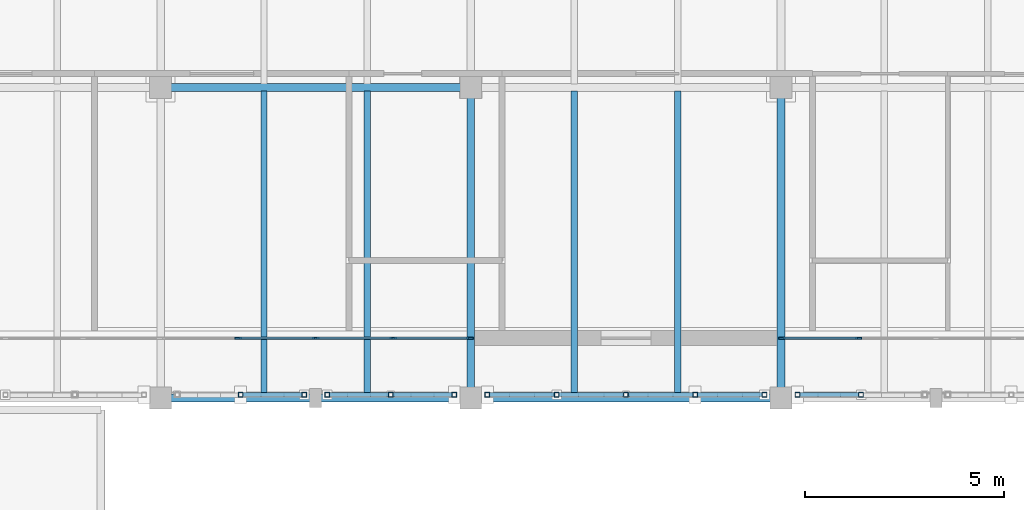
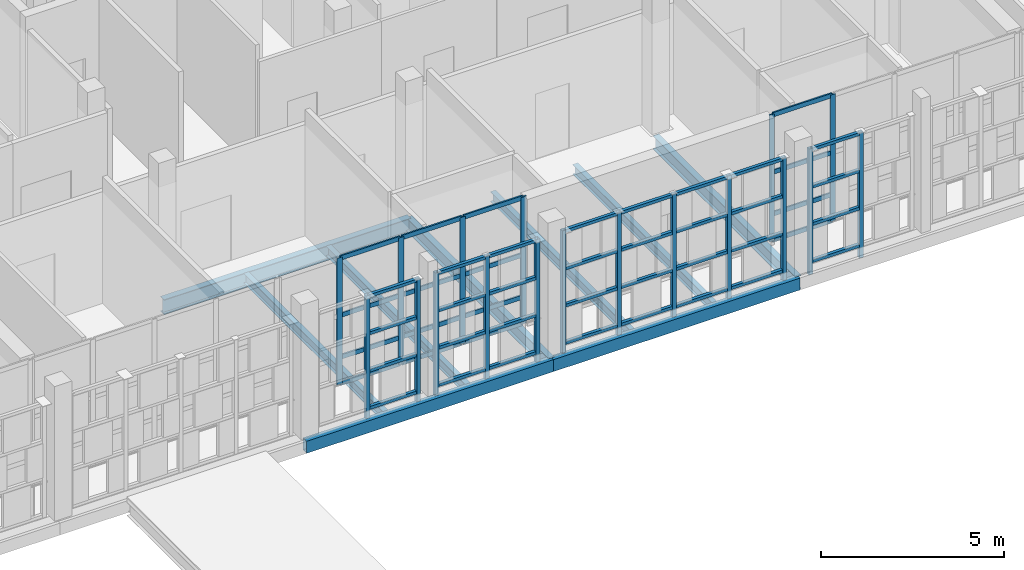
# One storey, part 54 of 119: 66 members, 9 beams, 2 elements without a shape of their own.
"""IFC4 building model written with IfcOpenShell, lengths in metres."""

from ifc_helpers import new_model, si_unit, direction, frame, origin, origin_2d, place, context, subcontext, project, spatial, rectangle, hollow_rectangle, i_section, extrude, material, layer, layer_set, material_profile, profile_set, type_object, element, aggregate, save


model = new_model("IFC4")

# Units and contexts
model_context = context("Model", 3, precision=1e-05, world=origin(), true_north=direction((0.0, 1.0)))
body_context = subcontext(model_context, "Body", "Model", "MODEL_VIEW")
ifc_project = project(units=[si_unit("LENGTHUNIT", "METRE"), si_unit("AREAUNIT", "SQUARE_METRE"), si_unit("VOLUMEUNIT", "CUBIC_METRE"), si_unit("PLANEANGLEUNIT", "RADIAN"), si_unit("MASSUNIT", "GRAM", prefix="KILO")], contexts=[model_context])

# Site, building, storey
site_placement = place(None, origin())
site = spatial("IfcSite", under=ifc_project, at=site_placement, CompositionType="ELEMENT")
building_placement = place(site_placement, origin())
building = spatial("IfcBuilding", under=site, at=building_placement, Name="Celorna Specialist Clinic", CompositionType="ELEMENT")
storey_placement = place(building_placement, frame((0.0, 0.0, 9.60009765625)))
storey = spatial("IfcBuildingStorey", under=building, at=storey_placement, Name="L02", CompositionType="ELEMENT", Elevation=9.60009765625)

# Beams
ifc_material_1 = material(Name="Steel S355", Category="steel")
ifc_material_profile_1 = material_profile(ifc_material_1, i_section(OverallWidth=0.199951171875, OverallDepth=0.5, WebThickness=0.01025390625, FlangeThickness=0.01611328125, at=origin_2d()), Name="IPE 500")
ifc_profile_set_1 = profile_set([ifc_material_profile_1], Name="Steel S355")
beam_type_1 = type_object("IfcBeamType", Name="BM-08", PredefinedType="BEAM", material=ifc_profile_set_1)
beam_placement = place(storey_placement, frame((78.0, 104.300048828125, -0.510009765625), z_axis=(1.0, 0.0, 0.0), x_axis=(0.0, 1.0, 0.0)))
element("IfcBeam", 1, at=beam_placement, inside=storey, type_object=beam_type_1, Name="Primary girder BM-08 #1081", PredefinedType="BEAM", context=body_context, shape_type="SweptSolid", body=[
    extrude(i_section(OverallWidth=0.199951171875, OverallDepth=0.5, WebThickness=0.01025390625, FlangeThickness=0.01611328125, at=origin_2d()), origin(), (0.0, 0.0, 1.0), 7.800048828125),
])
ifc_material_profile_2 = material_profile(ifc_material_1, i_section(OverallWidth=0.18994140625, OverallDepth=0.449951171875, WebThickness=0.009521484375, FlangeThickness=0.0146484375, at=origin_2d()), Name="IPE 450")
ifc_profile_set_2 = profile_set([ifc_material_profile_2], Name="Steel S355")
beam_type_2 = type_object("IfcBeamType", Name="BM-09", PredefinedType="BEAM", material=ifc_profile_set_2)
for number, where, z_axis, x_axis, name in (
    (2, (85.800048828125, 96.5, -0.485107421875), (0.0, 1.0, 0.0), (-1.0, 0.0, 0.0), "Transverse girder BM-09 #1125"),
    (3, (93.60009765625, 96.5, -0.485107421875), (0.0, 1.0, 0.0), (-1.0, 0.0, 0.0), "Transverse girder BM-09 #1128"),
):
    element("IfcBeam", number, at=place(storey_placement, frame(where, z_axis=z_axis, x_axis=x_axis)), inside=storey, type_object=beam_type_2, Name=name, PredefinedType="BEAM", context=body_context, shape_type="SweptSolid", body=[
        extrude(i_section(OverallWidth=0.18994140625, OverallDepth=0.449951171875, WebThickness=0.009521484375, FlangeThickness=0.0146484375, at=origin_2d()), origin(), (0.0, 0.0, 1.0), 7.800048828125),
    ])
ifc_material_profile_3 = material_profile(ifc_material_1, i_section(OverallWidth=0.159912109375, OverallDepth=0.330078125, WebThickness=0.007568359375, FlangeThickness=0.011474609375, at=origin_2d()), Name="IPE 330")
ifc_profile_set_3 = profile_set([ifc_material_profile_3], Name="Steel S355")
beam_type_3 = type_object("IfcBeamType", Name="BM-12", PredefinedType="JOIST", material=ifc_profile_set_3)
for number, where, z_axis, x_axis, name in (
    (4, (80.60009765625, 96.587890625, -0.425048828125), (0.0, 1.0, 0.0), (-1.0, 0.0, 0.0), "Secondary floor joist BM-12 #1167"),
    (5, (83.199951171875, 96.587890625, -0.425048828125), (0.0, 1.0, 0.0), (-1.0, 0.0, 0.0), "Secondary floor joist BM-12 #1168"),
    (6, (88.39990234375, 96.587890625, -0.425048828125), (0.0, 1.0, 0.0), (-1.0, 0.0, 0.0), "Secondary floor joist BM-12 #1171"),
    (7, (91.0, 96.587890625, -0.425048828125), (0.0, 1.0, 0.0), (-1.0, 0.0, 0.0), "Secondary floor joist BM-12 #1172"),
):
    element("IfcBeam", number, at=place(storey_placement, frame(where, z_axis=z_axis, x_axis=x_axis)), inside=storey, type_object=beam_type_3, Name=name, PredefinedType="JOIST", context=body_context, shape_type="SweptSolid", body=[
        extrude(i_section(OverallWidth=0.159912109375, OverallDepth=0.330078125, WebThickness=0.007568359375, FlangeThickness=0.011474609375, at=origin_2d()), origin(), (0.0, 0.0, 1.0), 7.6240234375),
    ])
ifc_material_profile_4 = material_profile(ifc_material_1, hollow_rectangle(XDim=0.199951171875, YDim=0.39990234375, WallThickness=0.011962890625, at=origin_2d()), Name="RHS 200x400x12")
ifc_profile_set_4 = profile_set([ifc_material_profile_4], Name="Steel S355")
beam_type_4 = type_object("IfcBeamType", Name="BM-15", PredefinedType="SPANDREL", material=ifc_profile_set_4)
for number, where, z_axis, x_axis, name in (
    (8, (78.0, 96.5, -0.460205078125), (1.0, 0.0, 0.0), (0.0, 1.0, 0.0), "Spandrel beam BM-15 #1070"),
    (9, (85.800048828125, 96.5, -0.460205078125), (1.0, 0.0, 0.0), (0.0, 1.0, 0.0), "Spandrel beam BM-15 #1071"),
):
    element("IfcBeam", number, at=place(storey_placement, frame(where, z_axis=z_axis, x_axis=x_axis)), inside=storey, type_object=beam_type_4, Name=name, PredefinedType="SPANDREL", context=body_context, shape_type="SweptSolid", body=[
        extrude(hollow_rectangle(XDim=0.199951171875, YDim=0.39990234375, WallThickness=0.011962890625, at=origin_2d()), origin(), (0.0, 0.0, 1.0), 7.800048828125),
    ])

# Members
ifc_material_profile_5 = material_profile(ifc_material_1, hollow_rectangle(XDim=0.1201171875, YDim=0.1201171875, WallThickness=0.008056640625, at=origin_2d()), Name="SHS 120x120x8")
ifc_profile_set_5 = profile_set([ifc_material_profile_5], Name="Steel S355")
member_type_1 = type_object("IfcMemberType", Name="MB-11", PredefinedType="STUD", material=ifc_profile_set_5)
for number, where, z_axis, x_axis, name in (
    (10, (80.012451171875, 96.580078125, -0.360107421875), (0.0, 0.0, 1.0), (1.0, 0.0, 0.0), "Perforated screen steel post #1081"),
    (11, (81.610107421875, 96.580078125, -0.360107421875), (0.0, 0.0, 1.0), (1.0, 0.0, 0.0), "Perforated screen steel post #1082"),
    (12, (82.18994140625, 96.580078125, -0.360107421875), (0.0, 0.0, 1.0), (1.0, 0.0, 0.0), "Perforated screen steel post #1091"),
    (13, (83.78759765625, 96.580078125, -0.360107421875), (0.0, 0.0, 1.0), (1.0, 0.0, 0.0), "Perforated screen steel post #1092"),
    (14, (85.385009765625, 96.580078125, -0.360107421875), (0.0, 0.0, 1.0), (1.0, 0.0, 0.0), "Perforated screen steel post #1093"),
    (15, (86.215087890625, 96.580078125, -0.360107421875), (0.0, 0.0, 1.0), (1.0, 0.0, 0.0), "Perforated screen steel post #1102"),
    (16, (87.95751953125, 96.580078125, -0.360107421875), (0.0, 0.0, 1.0), (1.0, 0.0, 0.0), "Perforated screen steel post #1103"),
    (17, (89.699951171875, 96.580078125, -0.360107421875), (0.0, 0.0, 1.0), (1.0, 0.0, 0.0), "Perforated screen steel post #1104"),
    (18, (91.4423828125, 96.580078125, -0.360107421875), (0.0, 0.0, 1.0), (1.0, 0.0, 0.0), "Perforated screen steel post #1105"),
    (19, (93.18505859375, 96.580078125, -0.360107421875), (0.0, 0.0, 1.0), (1.0, 0.0, 0.0), "Perforated screen steel post #1106"),
    (20, (94.014892578125, 96.580078125, -0.360107421875), (0.0, 0.0, 1.0), (1.0, 0.0, 0.0), "Perforated screen steel post #1123"),
    (21, (95.612548828125, 96.580078125, -0.360107421875), (0.0, 0.0, 1.0), (1.0, 0.0, 0.0), "Perforated screen steel post #1124"),
):
    element("IfcMember", number, at=place(storey_placement, frame(where, z_axis=z_axis, x_axis=x_axis)), inside=storey, type_object=member_type_1, Name=name, PredefinedType="STUD", context=body_context, shape_type="SweptSolid", body=[
        extrude(hollow_rectangle(XDim=0.1201171875, YDim=0.1201171875, WallThickness=0.008056640625, at=origin_2d()), origin(), (0.0, 0.0, 1.0), 4.199951171875),
    ])
ifc_material_profile_6 = material_profile(ifc_material_1, hollow_rectangle(XDim=0.10009765625, YDim=0.10009765625, WallThickness=0.006103515625, at=origin_2d()), Name="SHS 100x100x6")
ifc_profile_set_6 = profile_set([ifc_material_profile_6], Name="Steel S355")
member_type_2 = type_object("IfcMemberType", Name="MB-12", PredefinedType="STUD", material=ifc_profile_set_6)
for number, where, z_axis, x_axis, name in (
    (22, (80.072509765625, 96.580078125, 0.0498046875), (1.0, 0.0, 0.0), (0.0, 1.0, 0.0), "Perforated screen rail #1087"),
    (23, (80.072509765625, 96.580078125, 1.296630859375), (1.0, 0.0, 0.0), (0.0, 1.0, 0.0), "Perforated screen rail #1088"),
    (24, (80.072509765625, 96.580078125, 2.543212890625), (1.0, 0.0, 0.0), (0.0, 1.0, 0.0), "Perforated screen rail #1089"),
    (25, (80.072509765625, 96.580078125, 3.789794921875), (1.0, 0.0, 0.0), (0.0, 1.0, 0.0), "Perforated screen rail #1090"),
    (26, (82.25, 96.580078125, 0.0498046875), (1.0, 0.0, 0.0), (0.0, 1.0, 0.0), "Perforated screen rail #1094"),
    (27, (82.25, 96.580078125, 1.296630859375), (1.0, 0.0, 0.0), (0.0, 1.0, 0.0), "Perforated screen rail #1095"),
    (28, (82.25, 96.580078125, 2.543212890625), (1.0, 0.0, 0.0), (0.0, 1.0, 0.0), "Perforated screen rail #1096"),
    (29, (82.25, 96.580078125, 3.789794921875), (1.0, 0.0, 0.0), (0.0, 1.0, 0.0), "Perforated screen rail #1097"),
    (30, (83.847412109375, 96.580078125, 0.0498046875), (1.0, 0.0, 0.0), (0.0, 1.0, 0.0), "Perforated screen rail #1098"),
    (31, (83.847412109375, 96.580078125, 1.296630859375), (1.0, 0.0, 0.0), (0.0, 1.0, 0.0), "Perforated screen rail #1099"),
    (32, (83.847412109375, 96.580078125, 2.543212890625), (1.0, 0.0, 0.0), (0.0, 1.0, 0.0), "Perforated screen rail #1100"),
    (33, (83.847412109375, 96.580078125, 3.789794921875), (1.0, 0.0, 0.0), (0.0, 1.0, 0.0), "Perforated screen rail #1101"),
):
    element("IfcMember", number, at=place(storey_placement, frame(where, z_axis=z_axis, x_axis=x_axis)), inside=storey, type_object=member_type_2, Name=name, PredefinedType="STUD", context=body_context, shape_type="SweptSolid", body=[
        extrude(hollow_rectangle(XDim=0.10009765625, YDim=0.10009765625, WallThickness=0.006103515625, at=origin_2d()), origin(), (0.0, 0.0, 1.0), 1.4775390625),
    ])
for number, where, z_axis, x_axis, name in (
    (34, (86.27490234375, 96.580078125, 0.0498046875), (1.0, 0.0, 0.0), (0.0, 1.0, 0.0), "Perforated screen rail #1107"),
    (35, (86.27490234375, 96.580078125, 1.296630859375), (1.0, 0.0, 0.0), (0.0, 1.0, 0.0), "Perforated screen rail #1108"),
    (36, (86.27490234375, 96.580078125, 2.543212890625), (1.0, 0.0, 0.0), (0.0, 1.0, 0.0), "Perforated screen rail #1109"),
    (37, (86.27490234375, 96.580078125, 3.789794921875), (1.0, 0.0, 0.0), (0.0, 1.0, 0.0), "Perforated screen rail #1110"),
):
    element("IfcMember", number, at=place(storey_placement, frame(where, z_axis=z_axis, x_axis=x_axis)), inside=storey, type_object=member_type_2, Name=name, PredefinedType="STUD", context=body_context, shape_type="SweptSolid", body=[
        extrude(hollow_rectangle(XDim=0.10009765625, YDim=0.10009765625, WallThickness=0.006103515625, at=origin_2d()), origin(), (0.0, 0.0, 1.0), 1.62255859375),
    ])
for number, where, z_axis, x_axis, name in (
    (38, (88.017578125, 96.580078125, 0.0498046875), (1.0, 0.0, 0.0), (0.0, 1.0, 0.0), "Perforated screen rail #1111"),
    (39, (88.017578125, 96.580078125, 1.296630859375), (1.0, 0.0, 0.0), (0.0, 1.0, 0.0), "Perforated screen rail #1112"),
    (40, (88.017578125, 96.580078125, 2.543212890625), (1.0, 0.0, 0.0), (0.0, 1.0, 0.0), "Perforated screen rail #1113"),
    (41, (88.017578125, 96.580078125, 3.789794921875), (1.0, 0.0, 0.0), (0.0, 1.0, 0.0), "Perforated screen rail #1114"),
):
    element("IfcMember", number, at=place(storey_placement, frame(where, z_axis=z_axis, x_axis=x_axis)), inside=storey, type_object=member_type_2, Name=name, PredefinedType="STUD", context=body_context, shape_type="SweptSolid", body=[
        extrude(hollow_rectangle(XDim=0.10009765625, YDim=0.10009765625, WallThickness=0.006103515625, at=origin_2d()), origin(), (0.0, 0.0, 1.0), 1.622314453125),
    ])
for number, where, z_axis, x_axis, name in (
    (42, (89.760009765625, 96.580078125, 0.0498046875), (1.0, 0.0, 0.0), (0.0, 1.0, 0.0), "Perforated screen rail #1115"),
    (43, (89.760009765625, 96.580078125, 1.296630859375), (1.0, 0.0, 0.0), (0.0, 1.0, 0.0), "Perforated screen rail #1116"),
    (44, (89.760009765625, 96.580078125, 2.543212890625), (1.0, 0.0, 0.0), (0.0, 1.0, 0.0), "Perforated screen rail #1117"),
    (45, (89.760009765625, 96.580078125, 3.789794921875), (1.0, 0.0, 0.0), (0.0, 1.0, 0.0), "Perforated screen rail #1118"),
    (46, (91.50244140625, 96.580078125, 0.0498046875), (1.0, 0.0, 0.0), (0.0, 1.0, 0.0), "Perforated screen rail #1119"),
    (47, (91.50244140625, 96.580078125, 1.296630859375), (1.0, 0.0, 0.0), (0.0, 1.0, 0.0), "Perforated screen rail #1120"),
    (48, (91.50244140625, 96.580078125, 2.543212890625), (1.0, 0.0, 0.0), (0.0, 1.0, 0.0), "Perforated screen rail #1121"),
    (49, (91.50244140625, 96.580078125, 3.789794921875), (1.0, 0.0, 0.0), (0.0, 1.0, 0.0), "Perforated screen rail #1122"),
):
    element("IfcMember", number, at=place(storey_placement, frame(where, z_axis=z_axis, x_axis=x_axis)), inside=storey, type_object=member_type_2, Name=name, PredefinedType="STUD", context=body_context, shape_type="SweptSolid", body=[
        extrude(hollow_rectangle(XDim=0.10009765625, YDim=0.10009765625, WallThickness=0.006103515625, at=origin_2d()), origin(), (0.0, 0.0, 1.0), 1.62255859375),
    ])
for number, where, z_axis, x_axis, name in (
    (50, (94.074951171875, 96.580078125, 0.0498046875), (1.0, 0.0, 0.0), (0.0, 1.0, 0.0), "Perforated screen rail #1126"),
    (51, (94.074951171875, 96.580078125, 1.296630859375), (1.0, 0.0, 0.0), (0.0, 1.0, 0.0), "Perforated screen rail #1127"),
    (52, (94.074951171875, 96.580078125, 2.543212890625), (1.0, 0.0, 0.0), (0.0, 1.0, 0.0), "Perforated screen rail #1128"),
    (53, (94.074951171875, 96.580078125, 3.789794921875), (1.0, 0.0, 0.0), (0.0, 1.0, 0.0), "Perforated screen rail #1129"),
):
    element("IfcMember", number, at=place(storey_placement, frame(where, z_axis=z_axis, x_axis=x_axis)), inside=storey, type_object=member_type_2, Name=name, PredefinedType="STUD", context=body_context, shape_type="SweptSolid", body=[
        extrude(hollow_rectangle(XDim=0.10009765625, YDim=0.10009765625, WallThickness=0.006103515625, at=origin_2d()), origin(), (0.0, 0.0, 1.0), 1.4775390625),
    ])

# Curtain wall, members
ifc_material_2 = material(Name="Thermally broken aluminium and solar-control glass curtain wall", Category="aluminium")
ifc_layer_1 = layer(ifc_material_2, 0.159912109375, Name="Thermally broken aluminium and solar-control glass curtain wall")
ifc_layer_set_1 = layer_set([ifc_layer_1], Name="Thermally broken aluminium and solar-control glass curtain wall")
curtain_wall_type_1 = type_object("IfcCurtainWallType", Name="CW-68", PredefinedType="NOTDEFINED", material=ifc_layer_set_1)
curtain_wall_1_placement = place(storey_placement, origin())
curtain_wall_1 = element("IfcCurtainWall", 54, at=curtain_wall_1_placement, inside=storey, type_object=curtain_wall_type_1, Name="Curtain wall CW-68 #125", PredefinedType="NOTDEFINED")
ifc_material_3 = material(Name="Anodized aluminium mullion", Category="aluminium")
ifc_material_profile_7 = material_profile(ifc_material_3, rectangle(XDim=0.050048828125, YDim=0.159912109375, at=origin_2d()), Name="ALU MULLION 50x160")
ifc_profile_set_7 = profile_set([ifc_material_profile_7], Name="Anodized aluminium mullion")
member_type_3 = type_object("IfcMemberType", Name="ML-01", PredefinedType="MULLION", material=ifc_profile_set_7)
member_1_placement = place(storey_placement, frame((95.552001953125, 98.0, 0.0), z_axis=(0.0, 0.0, 1.0), x_axis=(0.0, -1.0, 0.0)))
member_1 = element("IfcMember", 55, at=member_1_placement, type_object=member_type_3, Name="CW-68 mullion 4", PredefinedType="MULLION", context=body_context, shape_type="SweptSolid", body=[
    extrude(rectangle(XDim=0.050048828125, YDim=0.159912109375, at=origin_2d()), origin(), (0.0, 0.0, 1.0), 4.239990234375),
])
member_2_placement = place(storey_placement, frame((93.62890625, 98.0, 0.0), z_axis=(0.0, 0.0, 1.0), x_axis=(0.0, -1.0, 0.0)))
member_2 = element("IfcMember", 56, at=member_2_placement, type_object=member_type_3, Name="CW-68 mullion 5", PredefinedType="MULLION", context=body_context, shape_type="SweptSolid", body=[
    extrude(rectangle(XDim=0.050048828125, YDim=0.159912109375, at=origin_2d()), origin(), (0.0, 0.0, 1.0), 4.239990234375),
])

ifc_layer_2 = layer(ifc_material_2, 0.159912109375, Name="Thermally broken aluminium and solar-control glass curtain wall")
ifc_layer_set_2 = layer_set([ifc_layer_2], Name="Thermally broken aluminium and solar-control glass curtain wall")
curtain_wall_type_2 = type_object("IfcCurtainWallType", Name="CW-67", PredefinedType="NOTDEFINED", material=ifc_layer_set_2)
curtain_wall_2_placement = place(storey_placement, origin())
curtain_wall_2 = element("IfcCurtainWall", 57, at=curtain_wall_2_placement, inside=storey, type_object=curtain_wall_type_2, Name="Curtain wall CW-67 #124", PredefinedType="NOTDEFINED")
ifc_material_profile_8 = material_profile(ifc_material_3, rectangle(XDim=0.050048828125, YDim=0.179931640625, at=origin_2d()), Name="ALU MULLION 50x180")
ifc_profile_set_8 = profile_set([ifc_material_profile_8], Name="Anodized aluminium mullion")
member_type_4 = type_object("IfcMemberType", Name="ML-02", PredefinedType="MULLION", material=ifc_profile_set_8)
member_3_placement = place(storey_placement, frame((85.77099609375, 98.0, 0.0), z_axis=(0.0, 0.0, 1.0), x_axis=(0.0, -1.0, 0.0)))
member_3 = element("IfcMember", 58, at=member_3_placement, type_object=member_type_4, Name="CW-67 mullion 1", PredefinedType="MULLION", context=body_context, shape_type="SweptSolid", body=[
    extrude(rectangle(XDim=0.050048828125, YDim=0.179931640625, at=origin_2d()), origin(), (0.0, 0.0, 1.0), 4.239990234375),
])
member_4_placement = place(storey_placement, frame((83.847900390625, 98.0, 0.0), z_axis=(0.0, 0.0, 1.0), x_axis=(0.0, -1.0, 0.0)))
member_4 = element("IfcMember", 59, at=member_4_placement, type_object=member_type_4, Name="CW-67 mullion 2", PredefinedType="MULLION", context=body_context, shape_type="SweptSolid", body=[
    extrude(rectangle(XDim=0.050048828125, YDim=0.179931640625, at=origin_2d()), origin(), (0.0, 0.0, 1.0), 4.239990234375),
])
member_5_placement = place(storey_placement, frame((81.89990234375, 98.0, 0.0), z_axis=(0.0, 0.0, 1.0), x_axis=(0.0, -1.0, 0.0)))
member_5 = element("IfcMember", 60, at=member_5_placement, type_object=member_type_4, Name="CW-67 mullion 3", PredefinedType="MULLION", context=body_context, shape_type="SweptSolid", body=[
    extrude(rectangle(XDim=0.050048828125, YDim=0.179931640625, at=origin_2d()), origin(), (0.0, 0.0, 1.0), 4.239990234375),
])
member_6_placement = place(storey_placement, frame((79.951904296875, 98.0, 0.0), z_axis=(0.0, 0.0, 1.0), x_axis=(0.0, -1.0, 0.0)))
member_6 = element("IfcMember", 61, at=member_6_placement, type_object=member_type_4, Name="CW-67 mullion 4", PredefinedType="MULLION", context=body_context, shape_type="SweptSolid", body=[
    extrude(rectangle(XDim=0.050048828125, YDim=0.179931640625, at=origin_2d()), origin(), (0.0, 0.0, 1.0), 4.239990234375),
])
ifc_material_4 = material(Name="Anodized aluminium transom", Category="aluminium")
ifc_material_profile_9 = material_profile(ifc_material_4, rectangle(XDim=0.050048828125, YDim=0.14990234375, at=origin_2d()), Name="ALU TRANSOM 50x150")
ifc_profile_set_9 = profile_set([ifc_material_profile_9], Name="Anodized aluminium transom")
member_type_5 = type_object("IfcMemberType", Name="TR-02", PredefinedType="USERDEFINED", material=ifc_profile_set_9)
member_7_placement = place(storey_placement, frame((85.74609375, 98.0, 0.02490234375), z_axis=(-1.0, 0.0, 0.0), x_axis=(0.0, -1.0, 0.0)))
member_7 = element("IfcMember", 62, at=member_7_placement, type_object=member_type_5, Name="CW-67 transom 1.1", ObjectType="TRANSOM", PredefinedType="USERDEFINED", context=body_context, shape_type="SweptSolid", body=[
    extrude(rectangle(XDim=0.050048828125, YDim=0.14990234375, at=origin_2d()), origin(), (0.0, 0.0, 1.0), 1.873046875),
])
member_8_placement = place(storey_placement, frame((85.74609375, 98.0, 0.89990234375), z_axis=(-1.0, 0.0, 0.0), x_axis=(0.0, -1.0, 0.0)))
member_8 = element("IfcMember", 63, at=member_8_placement, type_object=member_type_5, Name="CW-67 transom 1.2", ObjectType="TRANSOM", PredefinedType="USERDEFINED", context=body_context, shape_type="SweptSolid", body=[
    extrude(rectangle(XDim=0.050048828125, YDim=0.14990234375, at=origin_2d()), origin(), (0.0, 0.0, 1.0), 1.873046875),
])
member_9_placement = place(storey_placement, frame((85.74609375, 98.0, 2.2998046875), z_axis=(-1.0, 0.0, 0.0), x_axis=(0.0, -1.0, 0.0)))
member_9 = element("IfcMember", 64, at=member_9_placement, type_object=member_type_5, Name="CW-67 transom 1.3", ObjectType="TRANSOM", PredefinedType="USERDEFINED", context=body_context, shape_type="SweptSolid", body=[
    extrude(rectangle(XDim=0.050048828125, YDim=0.14990234375, at=origin_2d()), origin(), (0.0, 0.0, 1.0), 1.873046875),
])
member_10_placement = place(storey_placement, frame((85.74609375, 98.0, 4.21484375), z_axis=(-1.0, 0.0, 0.0), x_axis=(0.0, -1.0, 0.0)))
member_10 = element("IfcMember", 65, at=member_10_placement, type_object=member_type_5, Name="CW-67 transom 1.4", ObjectType="TRANSOM", PredefinedType="USERDEFINED", context=body_context, shape_type="SweptSolid", body=[
    extrude(rectangle(XDim=0.050048828125, YDim=0.14990234375, at=origin_2d()), origin(), (0.0, 0.0, 1.0), 1.873046875),
])
member_11_placement = place(storey_placement, frame((83.822998046875, 98.0, 0.02490234375), z_axis=(-1.0, 0.0, 0.0), x_axis=(0.0, -1.0, 0.0)))
member_11 = element("IfcMember", 66, at=member_11_placement, type_object=member_type_5, Name="CW-67 transom 2.1", ObjectType="TRANSOM", PredefinedType="USERDEFINED", context=body_context, shape_type="SweptSolid", body=[
    extrude(rectangle(XDim=0.050048828125, YDim=0.14990234375, at=origin_2d()), origin(), (0.0, 0.0, 1.0), 1.89794921875),
])
member_12_placement = place(storey_placement, frame((83.822998046875, 98.0, 0.89990234375), z_axis=(-1.0, 0.0, 0.0), x_axis=(0.0, -1.0, 0.0)))
member_12 = element("IfcMember", 67, at=member_12_placement, type_object=member_type_5, Name="CW-67 transom 2.2", ObjectType="TRANSOM", PredefinedType="USERDEFINED", context=body_context, shape_type="SweptSolid", body=[
    extrude(rectangle(XDim=0.050048828125, YDim=0.14990234375, at=origin_2d()), origin(), (0.0, 0.0, 1.0), 1.89794921875),
])
member_13_placement = place(storey_placement, frame((83.822998046875, 98.0, 2.2998046875), z_axis=(-1.0, 0.0, 0.0), x_axis=(0.0, -1.0, 0.0)))
member_13 = element("IfcMember", 68, at=member_13_placement, type_object=member_type_5, Name="CW-67 transom 2.3", ObjectType="TRANSOM", PredefinedType="USERDEFINED", context=body_context, shape_type="SweptSolid", body=[
    extrude(rectangle(XDim=0.050048828125, YDim=0.14990234375, at=origin_2d()), origin(), (0.0, 0.0, 1.0), 1.89794921875),
])
member_14_placement = place(storey_placement, frame((83.822998046875, 98.0, 4.21484375), z_axis=(-1.0, 0.0, 0.0), x_axis=(0.0, -1.0, 0.0)))
member_14 = element("IfcMember", 69, at=member_14_placement, type_object=member_type_5, Name="CW-67 transom 2.4", ObjectType="TRANSOM", PredefinedType="USERDEFINED", context=body_context, shape_type="SweptSolid", body=[
    extrude(rectangle(XDim=0.050048828125, YDim=0.14990234375, at=origin_2d()), origin(), (0.0, 0.0, 1.0), 1.89794921875),
])
member_15_placement = place(storey_placement, frame((81.875, 98.0, 0.02490234375), z_axis=(-1.0, 0.0, 0.0), x_axis=(0.0, -1.0, 0.0)))
member_15 = element("IfcMember", 70, at=member_15_placement, type_object=member_type_5, Name="CW-67 transom 3.1", ObjectType="TRANSOM", PredefinedType="USERDEFINED", context=body_context, shape_type="SweptSolid", body=[
    extrude(rectangle(XDim=0.050048828125, YDim=0.14990234375, at=origin_2d()), origin(), (0.0, 0.0, 1.0), 1.89794921875),
])
member_16_placement = place(storey_placement, frame((81.875, 98.0, 0.89990234375), z_axis=(-1.0, 0.0, 0.0), x_axis=(0.0, -1.0, 0.0)))
member_16 = element("IfcMember", 71, at=member_16_placement, type_object=member_type_5, Name="CW-67 transom 3.2", ObjectType="TRANSOM", PredefinedType="USERDEFINED", context=body_context, shape_type="SweptSolid", body=[
    extrude(rectangle(XDim=0.050048828125, YDim=0.14990234375, at=origin_2d()), origin(), (0.0, 0.0, 1.0), 1.89794921875),
])
member_17_placement = place(storey_placement, frame((81.875, 98.0, 2.2998046875), z_axis=(-1.0, 0.0, 0.0), x_axis=(0.0, -1.0, 0.0)))
member_17 = element("IfcMember", 72, at=member_17_placement, type_object=member_type_5, Name="CW-67 transom 3.3", ObjectType="TRANSOM", PredefinedType="USERDEFINED", context=body_context, shape_type="SweptSolid", body=[
    extrude(rectangle(XDim=0.050048828125, YDim=0.14990234375, at=origin_2d()), origin(), (0.0, 0.0, 1.0), 1.89794921875),
])
member_18_placement = place(storey_placement, frame((81.875, 98.0, 4.21484375), z_axis=(-1.0, 0.0, 0.0), x_axis=(0.0, -1.0, 0.0)))
member_18 = element("IfcMember", 73, at=member_18_placement, type_object=member_type_5, Name="CW-67 transom 3.4", ObjectType="TRANSOM", PredefinedType="USERDEFINED", context=body_context, shape_type="SweptSolid", body=[
    extrude(rectangle(XDim=0.050048828125, YDim=0.14990234375, at=origin_2d()), origin(), (0.0, 0.0, 1.0), 1.89794921875),
])
aggregate(curtain_wall_2, [member_3, member_4, member_5, member_6, member_7, member_8, member_9, member_10, member_11, member_12, member_13, member_14, member_15, member_16, member_17, member_18])

# Member
member_19_placement = place(storey_placement, frame((95.527099609375, 98.0, 0.02490234375), z_axis=(-1.0, 0.0, 0.0), x_axis=(0.0, -1.0, 0.0)))
member_19 = element("IfcMember", 74, at=member_19_placement, type_object=member_type_5, Name="CW-68 transom 4.1", ObjectType="TRANSOM", PredefinedType="USERDEFINED", context=body_context, shape_type="SweptSolid", body=[
    extrude(rectangle(XDim=0.050048828125, YDim=0.14990234375, at=origin_2d()), origin(), (0.0, 0.0, 1.0), 1.873046875),
])

member_20_placement = place(storey_placement, frame((95.527099609375, 98.0, 0.89990234375), z_axis=(-1.0, 0.0, 0.0), x_axis=(0.0, -1.0, 0.0)))
member_20 = element("IfcMember", 75, at=member_20_placement, type_object=member_type_5, Name="CW-68 transom 4.2", ObjectType="TRANSOM", PredefinedType="USERDEFINED", context=body_context, shape_type="SweptSolid", body=[
    extrude(rectangle(XDim=0.050048828125, YDim=0.14990234375, at=origin_2d()), origin(), (0.0, 0.0, 1.0), 1.873046875),
])

member_21_placement = place(storey_placement, frame((95.527099609375, 98.0, 2.2998046875), z_axis=(-1.0, 0.0, 0.0), x_axis=(0.0, -1.0, 0.0)))
member_21 = element("IfcMember", 76, at=member_21_placement, type_object=member_type_5, Name="CW-68 transom 4.3", ObjectType="TRANSOM", PredefinedType="USERDEFINED", context=body_context, shape_type="SweptSolid", body=[
    extrude(rectangle(XDim=0.050048828125, YDim=0.14990234375, at=origin_2d()), origin(), (0.0, 0.0, 1.0), 1.873046875),
])

member_22_placement = place(storey_placement, frame((95.527099609375, 98.0, 4.21484375), z_axis=(-1.0, 0.0, 0.0), x_axis=(0.0, -1.0, 0.0)))
member_22 = element("IfcMember", 77, at=member_22_placement, type_object=member_type_5, Name="CW-68 transom 4.4", ObjectType="TRANSOM", PredefinedType="USERDEFINED", context=body_context, shape_type="SweptSolid", body=[
    extrude(rectangle(XDim=0.050048828125, YDim=0.14990234375, at=origin_2d()), origin(), (0.0, 0.0, 1.0), 1.873046875),
])

aggregate(curtain_wall_1, [member_1, member_2, member_19, member_20, member_21, member_22])

save(model, "model.ifc")
